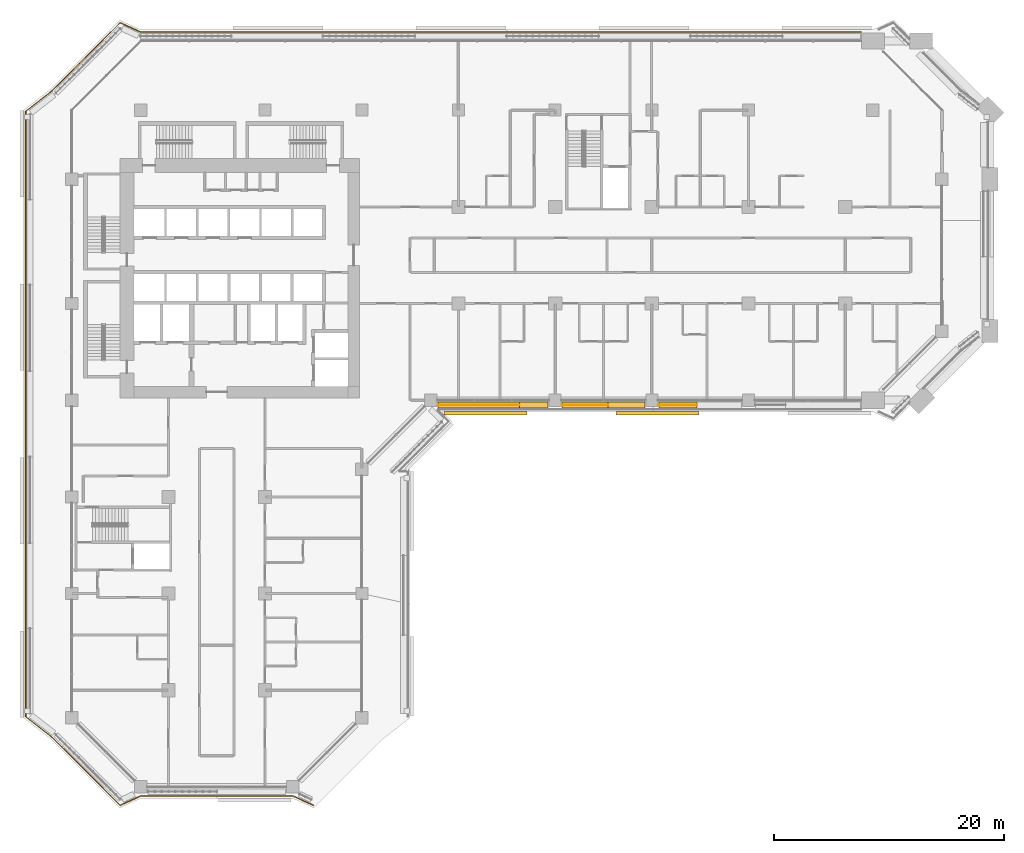
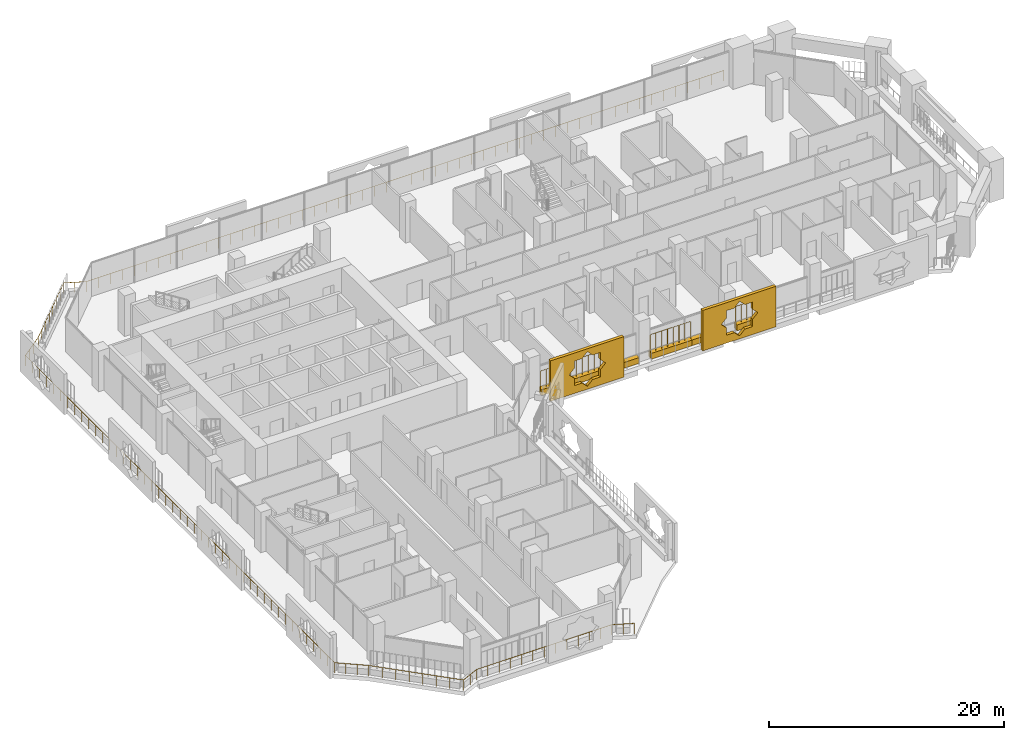
# One storey, part 24 of 27: 7 coverings, 4 railings.
"""IFC4 building model written with IfcOpenShell, lengths in metres."""

from ifc_helpers import new_model, si_unit, direction, frame, origin, origin_2d, place, context, subcontext, project, spatial, polyline, rectangle, circle, outline, extrude, material, material_profile, profile_set, type_object, element, save


model = new_model("IFC4")

# Units and contexts
model_context = context("Model", 3, precision=1e-05, world=origin(), true_north=direction((0.0, 1.0)))
body_context = subcontext(model_context, "Body", "Model", "MODEL_VIEW")
ifc_project = project(units=[si_unit("LENGTHUNIT", "METRE"), si_unit("AREAUNIT", "SQUARE_METRE"), si_unit("VOLUMEUNIT", "CUBIC_METRE"), si_unit("PLANEANGLEUNIT", "RADIAN"), si_unit("MASSUNIT", "GRAM", prefix="KILO")], contexts=[model_context])

# Site, building, storey
site_placement = place(None, origin())
site = spatial("IfcSite", under=ifc_project, at=site_placement, CompositionType="ELEMENT")
building_placement = place(site_placement, origin())
building = spatial("IfcBuilding", under=site, at=building_placement, Name="Kawkab Arch Medical Tower", CompositionType="ELEMENT")
storey_placement = place(building_placement, frame((0.0, 0.0, 115.60009765625)))
storey = spatial("IfcBuildingStorey", under=building, at=storey_placement, Name="L26", CompositionType="ELEMENT", Elevation=115.60009765625)

# Railing
ifc_material_1 = material(Name="Bronze anodised aluminium guard", Category="aluminium")
railing_type_1 = type_object("IfcRailingType", Name="Loggia and terrace guard 1100", PredefinedType="GUARDRAIL", material=ifc_material_1)
railing_1_placement = place(storey_placement, frame((20.9951171875, -60.39794921875, 0.0)))
element("IfcRailing", 1, at=railing_1_placement, inside=storey, type_object=railing_type_1, Name="Guard L26.LOG-01.1.1", PredefinedType="GUARDRAIL", context=body_context, shape_type="SweptSolid", body=[
    extrude(circle(Radius=0.02392578125, at=origin_2d()), frame((0.0, 0.0, 1.076171875), z_axis=(-0.910092688388, 0.414404752076, 0.0), x_axis=(-0.414404752076, -0.910092688388, 0.0)), (0.0, 0.0, 1.0), 1.92529296875),
    extrude(circle(Radius=0.02392578125, at=origin_2d()), frame((-1.752197265625, 0.7978515625, 1.076171875), z_axis=(-1.0, 0.0, 0.0), x_axis=(0.0, -1.0, 0.0)), (0.0, 0.0, 1.0), 13.285888671875),
    extrude(circle(Radius=0.02392578125, at=origin_2d()), frame((-15.0380859375, 0.7978515625, 1.076171875), z_axis=(-0.910070907914, -0.414452581809, 0.0), x_axis=(0.414452581809, -0.910070907914, 0.0)), (0.0, 0.0, 1.0), 1.925048828125),
    extrude(circle(Radius=0.02392578125, at=origin_2d()), frame((-16.7900390625, 0.0, 1.076171875), z_axis=(-0.707121386154, 0.707092175918, 0.0), x_axis=(-0.707092175918, -0.707121386154, 0.0)), (0.0, 0.0, 1.0), 8.358154296875),
    extrude(circle(Radius=0.02392578125, at=origin_2d()), frame((-22.7001953125, 5.909912109375, 1.076171875), z_axis=(-0.789153273162, 0.614196313452, 0.0), x_axis=(-0.614196313452, -0.789153273162, 0.0)), (0.0, 0.0, 1.0), 2.908203125),
    extrude(circle(Radius=0.02392578125, at=origin_2d()), frame((-24.9951171875, 7.696044921875, 1.076171875), z_axis=(0.0, 1.0, 0.0), x_axis=(-1.0, 0.0, 0.0)), (0.0, 0.0, 1.0), 52.60400390625),
    extrude(circle(Radius=0.02392578125, at=origin_2d()), frame((-24.9951171875, 60.300048828125, 1.076171875), z_axis=(0.789193964876, 0.614144026922, 0.0), x_axis=(-0.614144026922, 0.789193964876, 0.0)), (0.0, 0.0, 1.0), 2.907958984375),
    extrude(circle(Radius=0.02392578125, at=origin_2d()), frame((-22.7001953125, 62.0859375, 1.076171875), z_axis=(0.707121386154, 0.707092175918, 0.0), x_axis=(-0.707092175918, 0.707121386154, 0.0)), (0.0, 0.0, 1.0), 8.358154296875),
    extrude(circle(Radius=0.02392578125, at=origin_2d()), frame((-16.7900390625, 67.995849609375, 1.076171875), z_axis=(0.910070907914, -0.414452581809, 0.0), x_axis=(0.414452581809, 0.910070907914, 0.0)), (0.0, 0.0, 1.0), 1.925048828125),
    extrude(circle(Radius=0.02392578125, at=origin_2d()), frame((-15.0380859375, 67.197998046875, 1.076171875), z_axis=(1.0, 0.0, 0.0), x_axis=(0.0, 1.0, 0.0)), (0.0, 0.0, 1.0), 62.613037109375),
    extrude(circle(Radius=0.02099609375, at=origin_2d()), origin(), (0.0, 0.0, 1.0), 1.052001953125),
    extrude(circle(Radius=0.02099609375, at=origin_2d()), frame((-0.8759765625, 0.39892578125, 0.0)), (0.0, 0.0, 1.0), 1.052001953125),
    extrude(circle(Radius=0.02099609375, at=origin_2d()), frame((-1.752197265625, 0.7978515625, 0.0)), (0.0, 0.0, 1.0), 1.052001953125),
    extrude(circle(Radius=0.02099609375, at=origin_2d()), frame((-2.859375, 0.7978515625, 0.0)), (0.0, 0.0, 1.0), 1.052001953125),
    extrude(circle(Radius=0.02099609375, at=origin_2d()), frame((-3.966552734375, 0.7978515625, 0.0)), (0.0, 0.0, 1.0), 1.052001953125),
    extrude(circle(Radius=0.02099609375, at=origin_2d()), frame((-5.07373046875, 0.7978515625, 0.0)), (0.0, 0.0, 1.0), 1.052001953125),
    extrude(circle(Radius=0.02099609375, at=origin_2d()), frame((-6.180908203125, 0.7978515625, 0.0)), (0.0, 0.0, 1.0), 1.052001953125),
    extrude(circle(Radius=0.02099609375, at=origin_2d()), frame((-7.2880859375, 0.7978515625, 0.0)), (0.0, 0.0, 1.0), 1.052001953125),
    extrude(circle(Radius=0.02099609375, at=origin_2d()), frame((-8.39501953125, 0.7978515625, 0.0)), (0.0, 0.0, 1.0), 1.052001953125),
    extrude(circle(Radius=0.02099609375, at=origin_2d()), frame((-9.502197265625, 0.7978515625, 0.0)), (0.0, 0.0, 1.0), 1.052001953125),
    extrude(circle(Radius=0.02099609375, at=origin_2d()), frame((-10.609375, 0.7978515625, 0.0)), (0.0, 0.0, 1.0), 1.052001953125),
    extrude(circle(Radius=0.02099609375, at=origin_2d()), frame((-11.716552734375, 0.7978515625, 0.0)), (0.0, 0.0, 1.0), 1.052001953125),
    extrude(circle(Radius=0.02099609375, at=origin_2d()), frame((-12.82373046875, 0.7978515625, 0.0)), (0.0, 0.0, 1.0), 1.052001953125),
    extrude(circle(Radius=0.02099609375, at=origin_2d()), frame((-13.930908203125, 0.7978515625, 0.0)), (0.0, 0.0, 1.0), 1.052001953125),
    extrude(circle(Radius=0.02099609375, at=origin_2d()), frame((-15.0380859375, 0.7978515625, 0.0)), (0.0, 0.0, 1.0), 1.052001953125),
    extrude(circle(Radius=0.02099609375, at=origin_2d()), frame((-15.9140625, 0.39892578125, 0.0)), (0.0, 0.0, 1.0), 1.052001953125),
    extrude(circle(Radius=0.02099609375, at=origin_2d()), frame((-16.7900390625, 0.0, 0.0)), (0.0, 0.0, 1.0), 1.052001953125),
    extrude(circle(Radius=0.02099609375, at=origin_2d()), frame((-17.63427734375, 0.84423828125, 0.0)), (0.0, 0.0, 1.0), 1.052001953125),
    extrude(circle(Radius=0.02099609375, at=origin_2d()), frame((-18.478759765625, 1.6884765625, 0.0)), (0.0, 0.0, 1.0), 1.052001953125),
    extrude(circle(Radius=0.02099609375, at=origin_2d()), frame((-19.322998046875, 2.53271484375, 0.0)), (0.0, 0.0, 1.0), 1.052001953125),
    extrude(circle(Radius=0.02099609375, at=origin_2d()), frame((-20.167236328125, 3.377197265625, 0.0)), (0.0, 0.0, 1.0), 1.052001953125),
    extrude(circle(Radius=0.02099609375, at=origin_2d()), frame((-21.011474609375, 4.221435546875, 0.0)), (0.0, 0.0, 1.0), 1.052001953125),
    extrude(circle(Radius=0.02099609375, at=origin_2d()), frame((-21.85595703125, 5.065673828125, 0.0)), (0.0, 0.0, 1.0), 1.052001953125),
    extrude(circle(Radius=0.02099609375, at=origin_2d()), frame((-22.7001953125, 5.909912109375, 0.0)), (0.0, 0.0, 1.0), 1.052001953125),
    extrude(circle(Radius=0.02099609375, at=origin_2d()), frame((-23.465087890625, 6.50537109375, 0.0)), (0.0, 0.0, 1.0), 1.052001953125),
    extrude(circle(Radius=0.02099609375, at=origin_2d()), frame((-24.230224609375, 7.1005859375, 0.0)), (0.0, 0.0, 1.0), 1.052001953125),
    extrude(circle(Radius=0.02099609375, at=origin_2d()), frame((-24.9951171875, 7.696044921875, 0.0)), (0.0, 0.0, 1.0), 1.052001953125),
    extrude(circle(Radius=0.02099609375, at=origin_2d()), frame((-24.9951171875, 8.8916015625, 0.0)), (0.0, 0.0, 1.0), 1.052001953125),
    extrude(circle(Radius=0.02099609375, at=origin_2d()), frame((-24.9951171875, 10.087158203125, 0.0)), (0.0, 0.0, 1.0), 1.052001953125),
    extrude(circle(Radius=0.02099609375, at=origin_2d()), frame((-24.9951171875, 11.28271484375, 0.0)), (0.0, 0.0, 1.0), 1.052001953125),
    extrude(circle(Radius=0.02099609375, at=origin_2d()), frame((-24.9951171875, 12.478271484375, 0.0)), (0.0, 0.0, 1.0), 1.052001953125),
    extrude(circle(Radius=0.02099609375, at=origin_2d()), frame((-24.9951171875, 13.673828125, 0.0)), (0.0, 0.0, 1.0), 1.052001953125),
    extrude(circle(Radius=0.02099609375, at=origin_2d()), frame((-24.9951171875, 14.869384765625, 0.0)), (0.0, 0.0, 1.0), 1.052001953125),
    extrude(circle(Radius=0.02099609375, at=origin_2d()), frame((-24.9951171875, 16.06494140625, 0.0)), (0.0, 0.0, 1.0), 1.052001953125),
    extrude(circle(Radius=0.02099609375, at=origin_2d()), frame((-24.9951171875, 17.260498046875, 0.0)), (0.0, 0.0, 1.0), 1.052001953125),
    extrude(circle(Radius=0.02099609375, at=origin_2d()), frame((-24.9951171875, 18.4560546875, 0.0)), (0.0, 0.0, 1.0), 1.052001953125),
    extrude(circle(Radius=0.02099609375, at=origin_2d()), frame((-24.9951171875, 19.651611328125, 0.0)), (0.0, 0.0, 1.0), 1.052001953125),
    extrude(circle(Radius=0.02099609375, at=origin_2d()), frame((-24.9951171875, 20.84716796875, 0.0)), (0.0, 0.0, 1.0), 1.052001953125),
    extrude(circle(Radius=0.02099609375, at=origin_2d()), frame((-24.9951171875, 22.04248046875, 0.0)), (0.0, 0.0, 1.0), 1.052001953125),
    extrude(circle(Radius=0.02099609375, at=origin_2d()), frame((-24.9951171875, 23.238037109375, 0.0)), (0.0, 0.0, 1.0), 1.052001953125),
    extrude(circle(Radius=0.02099609375, at=origin_2d()), frame((-24.9951171875, 24.43359375, 0.0)), (0.0, 0.0, 1.0), 1.052001953125),
    extrude(circle(Radius=0.02099609375, at=origin_2d()), frame((-24.9951171875, 25.629150390625, 0.0)), (0.0, 0.0, 1.0), 1.052001953125),
    extrude(circle(Radius=0.02099609375, at=origin_2d()), frame((-24.9951171875, 26.82470703125, 0.0)), (0.0, 0.0, 1.0), 1.052001953125),
    extrude(circle(Radius=0.02099609375, at=origin_2d()), frame((-24.9951171875, 28.020263671875, 0.0)), (0.0, 0.0, 1.0), 1.052001953125),
    extrude(circle(Radius=0.02099609375, at=origin_2d()), frame((-24.9951171875, 29.2158203125, 0.0)), (0.0, 0.0, 1.0), 1.052001953125),
    extrude(circle(Radius=0.02099609375, at=origin_2d()), frame((-24.9951171875, 30.411376953125, 0.0)), (0.0, 0.0, 1.0), 1.052001953125),
    extrude(circle(Radius=0.02099609375, at=origin_2d()), frame((-24.9951171875, 31.60693359375, 0.0)), (0.0, 0.0, 1.0), 1.052001953125),
    extrude(circle(Radius=0.02099609375, at=origin_2d()), frame((-24.9951171875, 32.802490234375, 0.0)), (0.0, 0.0, 1.0), 1.052001953125),
    extrude(circle(Radius=0.02099609375, at=origin_2d()), frame((-24.9951171875, 33.998046875, 0.0)), (0.0, 0.0, 1.0), 1.052001953125),
    extrude(circle(Radius=0.02099609375, at=origin_2d()), frame((-24.9951171875, 35.193603515625, 0.0)), (0.0, 0.0, 1.0), 1.052001953125),
    extrude(circle(Radius=0.02099609375, at=origin_2d()), frame((-24.9951171875, 36.38916015625, 0.0)), (0.0, 0.0, 1.0), 1.052001953125),
    extrude(circle(Radius=0.02099609375, at=origin_2d()), frame((-24.9951171875, 37.584716796875, 0.0)), (0.0, 0.0, 1.0), 1.052001953125),
    extrude(circle(Radius=0.02099609375, at=origin_2d()), frame((-24.9951171875, 38.7802734375, 0.0)), (0.0, 0.0, 1.0), 1.052001953125),
    extrude(circle(Radius=0.02099609375, at=origin_2d()), frame((-24.9951171875, 39.975830078125, 0.0)), (0.0, 0.0, 1.0), 1.052001953125),
    extrude(circle(Radius=0.02099609375, at=origin_2d()), frame((-24.9951171875, 41.17138671875, 0.0)), (0.0, 0.0, 1.0), 1.052001953125),
    extrude(circle(Radius=0.02099609375, at=origin_2d()), frame((-24.9951171875, 42.366943359375, 0.0)), (0.0, 0.0, 1.0), 1.052001953125),
    extrude(circle(Radius=0.02099609375, at=origin_2d()), frame((-24.9951171875, 43.5625, 0.0)), (0.0, 0.0, 1.0), 1.052001953125),
    extrude(circle(Radius=0.02099609375, at=origin_2d()), frame((-24.9951171875, 44.758056640625, 0.0)), (0.0, 0.0, 1.0), 1.052001953125),
    extrude(circle(Radius=0.02099609375, at=origin_2d()), frame((-24.9951171875, 45.95361328125, 0.0)), (0.0, 0.0, 1.0), 1.052001953125),
    extrude(circle(Radius=0.02099609375, at=origin_2d()), frame((-24.9951171875, 47.14892578125, 0.0)), (0.0, 0.0, 1.0), 1.052001953125),
    extrude(circle(Radius=0.02099609375, at=origin_2d()), frame((-24.9951171875, 48.344482421875, 0.0)), (0.0, 0.0, 1.0), 1.052001953125),
    extrude(circle(Radius=0.02099609375, at=origin_2d()), frame((-24.9951171875, 49.5400390625, 0.0)), (0.0, 0.0, 1.0), 1.052001953125),
    extrude(circle(Radius=0.02099609375, at=origin_2d()), frame((-24.9951171875, 50.735595703125, 0.0)), (0.0, 0.0, 1.0), 1.052001953125),
    extrude(circle(Radius=0.02099609375, at=origin_2d()), frame((-24.9951171875, 51.93115234375, 0.0)), (0.0, 0.0, 1.0), 1.052001953125),
    extrude(circle(Radius=0.02099609375, at=origin_2d()), frame((-24.9951171875, 53.126708984375, 0.0)), (0.0, 0.0, 1.0), 1.052001953125),
    extrude(circle(Radius=0.02099609375, at=origin_2d()), frame((-24.9951171875, 54.322265625, 0.0)), (0.0, 0.0, 1.0), 1.052001953125),
    extrude(circle(Radius=0.02099609375, at=origin_2d()), frame((-24.9951171875, 55.517822265625, 0.0)), (0.0, 0.0, 1.0), 1.052001953125),
    extrude(circle(Radius=0.02099609375, at=origin_2d()), frame((-24.9951171875, 56.71337890625, 0.0)), (0.0, 0.0, 1.0), 1.052001953125),
    extrude(circle(Radius=0.02099609375, at=origin_2d()), frame((-24.9951171875, 57.908935546875, 0.0)), (0.0, 0.0, 1.0), 1.052001953125),
    extrude(circle(Radius=0.02099609375, at=origin_2d()), frame((-24.9951171875, 59.1044921875, 0.0)), (0.0, 0.0, 1.0), 1.052001953125),
    extrude(circle(Radius=0.02099609375, at=origin_2d()), frame((-24.9951171875, 60.300048828125, 0.0)), (0.0, 0.0, 1.0), 1.052001953125),
    extrude(circle(Radius=0.02099609375, at=origin_2d()), frame((-24.230224609375, 60.895263671875, 0.0)), (0.0, 0.0, 1.0), 1.052001953125),
    extrude(circle(Radius=0.02099609375, at=origin_2d()), frame((-23.465087890625, 61.49072265625, 0.0)), (0.0, 0.0, 1.0), 1.052001953125),
    extrude(circle(Radius=0.02099609375, at=origin_2d()), frame((-22.7001953125, 62.0859375, 0.0)), (0.0, 0.0, 1.0), 1.052001953125),
    extrude(circle(Radius=0.02099609375, at=origin_2d()), frame((-21.85595703125, 62.93017578125, 0.0)), (0.0, 0.0, 1.0), 1.052001953125),
    extrude(circle(Radius=0.02099609375, at=origin_2d()), frame((-21.011474609375, 63.7744140625, 0.0)), (0.0, 0.0, 1.0), 1.052001953125),
    extrude(circle(Radius=0.02099609375, at=origin_2d()), frame((-20.167236328125, 64.61865234375, 0.0)), (0.0, 0.0, 1.0), 1.052001953125),
    extrude(circle(Radius=0.02099609375, at=origin_2d()), frame((-19.322998046875, 65.463134765625, 0.0)), (0.0, 0.0, 1.0), 1.052001953125),
    extrude(circle(Radius=0.02099609375, at=origin_2d()), frame((-18.478759765625, 66.307373046875, 0.0)), (0.0, 0.0, 1.0), 1.052001953125),
    extrude(circle(Radius=0.02099609375, at=origin_2d()), frame((-17.63427734375, 67.151611328125, 0.0)), (0.0, 0.0, 1.0), 1.052001953125),
    extrude(circle(Radius=0.02099609375, at=origin_2d()), frame((-16.7900390625, 67.995849609375, 0.0)), (0.0, 0.0, 1.0), 1.052001953125),
    extrude(circle(Radius=0.02099609375, at=origin_2d()), frame((-15.9140625, 67.596923828125, 0.0)), (0.0, 0.0, 1.0), 1.052001953125),
    extrude(circle(Radius=0.02099609375, at=origin_2d()), frame((-15.0380859375, 67.197998046875, 0.0)), (0.0, 0.0, 1.0), 1.052001953125),
    extrude(circle(Radius=0.02099609375, at=origin_2d()), frame((-13.856689453125, 67.197998046875, 0.0)), (0.0, 0.0, 1.0), 1.052001953125),
    extrude(circle(Radius=0.02099609375, at=origin_2d()), frame((-12.67529296875, 67.197998046875, 0.0)), (0.0, 0.0, 1.0), 1.052001953125),
    extrude(circle(Radius=0.02099609375, at=origin_2d()), frame((-11.493896484375, 67.197998046875, 0.0)), (0.0, 0.0, 1.0), 1.052001953125),
    extrude(circle(Radius=0.02099609375, at=origin_2d()), frame((-10.3125, 67.197998046875, 0.0)), (0.0, 0.0, 1.0), 1.052001953125),
    extrude(circle(Radius=0.02099609375, at=origin_2d()), frame((-9.131103515625, 67.197998046875, 0.0)), (0.0, 0.0, 1.0), 1.052001953125),
    extrude(circle(Radius=0.02099609375, at=origin_2d()), frame((-7.94970703125, 67.197998046875, 0.0)), (0.0, 0.0, 1.0), 1.052001953125),
    extrude(circle(Radius=0.02099609375, at=origin_2d()), frame((-6.7685546875, 67.197998046875, 0.0)), (0.0, 0.0, 1.0), 1.052001953125),
    extrude(circle(Radius=0.02099609375, at=origin_2d()), frame((-5.587158203125, 67.197998046875, 0.0)), (0.0, 0.0, 1.0), 1.052001953125),
    extrude(circle(Radius=0.02099609375, at=origin_2d()), frame((-4.40576171875, 67.197998046875, 0.0)), (0.0, 0.0, 1.0), 1.052001953125),
    extrude(circle(Radius=0.02099609375, at=origin_2d()), frame((-3.224365234375, 67.197998046875, 0.0)), (0.0, 0.0, 1.0), 1.052001953125),
    extrude(circle(Radius=0.02099609375, at=origin_2d()), frame((-2.04296875, 67.197998046875, 0.0)), (0.0, 0.0, 1.0), 1.052001953125),
    extrude(circle(Radius=0.02099609375, at=origin_2d()), frame((-0.861572265625, 67.197998046875, 0.0)), (0.0, 0.0, 1.0), 1.052001953125),
    extrude(circle(Radius=0.02099609375, at=origin_2d()), frame((0.31982421875, 67.197998046875, 0.0)), (0.0, 0.0, 1.0), 1.052001953125),
    extrude(circle(Radius=0.02099609375, at=origin_2d()), frame((1.501220703125, 67.197998046875, 0.0)), (0.0, 0.0, 1.0), 1.052001953125),
    extrude(circle(Radius=0.02099609375, at=origin_2d()), frame((2.6826171875, 67.197998046875, 0.0)), (0.0, 0.0, 1.0), 1.052001953125),
    extrude(circle(Radius=0.02099609375, at=origin_2d()), frame((3.864013671875, 67.197998046875, 0.0)), (0.0, 0.0, 1.0), 1.052001953125),
    extrude(circle(Radius=0.02099609375, at=origin_2d()), frame((5.04541015625, 67.197998046875, 0.0)), (0.0, 0.0, 1.0), 1.052001953125),
    extrude(circle(Radius=0.02099609375, at=origin_2d()), frame((6.226806640625, 67.197998046875, 0.0)), (0.0, 0.0, 1.0), 1.052001953125),
    extrude(circle(Radius=0.02099609375, at=origin_2d()), frame((7.408203125, 67.197998046875, 0.0)), (0.0, 0.0, 1.0), 1.052001953125),
    extrude(circle(Radius=0.02099609375, at=origin_2d()), frame((8.58935546875, 67.197998046875, 0.0)), (0.0, 0.0, 1.0), 1.052001953125),
    extrude(circle(Radius=0.02099609375, at=origin_2d()), frame((9.770751953125, 67.197998046875, 0.0)), (0.0, 0.0, 1.0), 1.052001953125),
    extrude(circle(Radius=0.02099609375, at=origin_2d()), frame((10.9521484375, 67.197998046875, 0.0)), (0.0, 0.0, 1.0), 1.052001953125),
    extrude(circle(Radius=0.02099609375, at=origin_2d()), frame((12.133544921875, 67.197998046875, 0.0)), (0.0, 0.0, 1.0), 1.052001953125),
    extrude(circle(Radius=0.02099609375, at=origin_2d()), frame((13.31494140625, 67.197998046875, 0.0)), (0.0, 0.0, 1.0), 1.052001953125),
    extrude(circle(Radius=0.02099609375, at=origin_2d()), frame((14.496337890625, 67.197998046875, 0.0)), (0.0, 0.0, 1.0), 1.052001953125),
    extrude(circle(Radius=0.02099609375, at=origin_2d()), frame((15.677734375, 67.197998046875, 0.0)), (0.0, 0.0, 1.0), 1.052001953125),
    extrude(circle(Radius=0.02099609375, at=origin_2d()), frame((16.859130859375, 67.197998046875, 0.0)), (0.0, 0.0, 1.0), 1.052001953125),
    extrude(circle(Radius=0.02099609375, at=origin_2d()), frame((18.04052734375, 67.197998046875, 0.0)), (0.0, 0.0, 1.0), 1.052001953125),
    extrude(circle(Radius=0.02099609375, at=origin_2d()), frame((19.221923828125, 67.197998046875, 0.0)), (0.0, 0.0, 1.0), 1.052001953125),
    extrude(circle(Radius=0.02099609375, at=origin_2d()), frame((20.4033203125, 67.197998046875, 0.0)), (0.0, 0.0, 1.0), 1.052001953125),
    extrude(circle(Radius=0.02099609375, at=origin_2d()), frame((21.584716796875, 67.197998046875, 0.0)), (0.0, 0.0, 1.0), 1.052001953125),
    extrude(circle(Radius=0.02099609375, at=origin_2d()), frame((22.76611328125, 67.197998046875, 0.0)), (0.0, 0.0, 1.0), 1.052001953125),
    extrude(circle(Radius=0.02099609375, at=origin_2d()), frame((23.947509765625, 67.197998046875, 0.0)), (0.0, 0.0, 1.0), 1.052001953125),
    extrude(circle(Radius=0.02099609375, at=origin_2d()), frame((25.128662109375, 67.197998046875, 0.0)), (0.0, 0.0, 1.0), 1.052001953125),
    extrude(circle(Radius=0.02099609375, at=origin_2d()), frame((26.31005859375, 67.197998046875, 0.0)), (0.0, 0.0, 1.0), 1.052001953125),
    extrude(circle(Radius=0.02099609375, at=origin_2d()), frame((27.491455078125, 67.197998046875, 0.0)), (0.0, 0.0, 1.0), 1.052001953125),
    extrude(circle(Radius=0.02099609375, at=origin_2d()), frame((28.6728515625, 67.197998046875, 0.0)), (0.0, 0.0, 1.0), 1.052001953125),
    extrude(circle(Radius=0.02099609375, at=origin_2d()), frame((29.854248046875, 67.197998046875, 0.0)), (0.0, 0.0, 1.0), 1.052001953125),
    extrude(circle(Radius=0.02099609375, at=origin_2d()), frame((31.03564453125, 67.197998046875, 0.0)), (0.0, 0.0, 1.0), 1.052001953125),
    extrude(circle(Radius=0.02099609375, at=origin_2d()), frame((32.217041015625, 67.197998046875, 0.0)), (0.0, 0.0, 1.0), 1.052001953125),
    extrude(circle(Radius=0.02099609375, at=origin_2d()), frame((33.3984375, 67.197998046875, 0.0)), (0.0, 0.0, 1.0), 1.052001953125),
    extrude(circle(Radius=0.02099609375, at=origin_2d()), frame((34.579833984375, 67.197998046875, 0.0)), (0.0, 0.0, 1.0), 1.052001953125),
    extrude(circle(Radius=0.02099609375, at=origin_2d()), frame((35.76123046875, 67.197998046875, 0.0)), (0.0, 0.0, 1.0), 1.052001953125),
    extrude(circle(Radius=0.02099609375, at=origin_2d()), frame((36.942626953125, 67.197998046875, 0.0)), (0.0, 0.0, 1.0), 1.052001953125),
    extrude(circle(Radius=0.02099609375, at=origin_2d()), frame((38.1240234375, 67.197998046875, 0.0)), (0.0, 0.0, 1.0), 1.052001953125),
    extrude(circle(Radius=0.02099609375, at=origin_2d()), frame((39.305419921875, 67.197998046875, 0.0)), (0.0, 0.0, 1.0), 1.052001953125),
    extrude(circle(Radius=0.02099609375, at=origin_2d()), frame((40.486572265625, 67.197998046875, 0.0)), (0.0, 0.0, 1.0), 1.052001953125),
    extrude(circle(Radius=0.02099609375, at=origin_2d()), frame((41.66796875, 67.197998046875, 0.0)), (0.0, 0.0, 1.0), 1.052001953125),
    extrude(circle(Radius=0.02099609375, at=origin_2d()), frame((42.849365234375, 67.197998046875, 0.0)), (0.0, 0.0, 1.0), 1.052001953125),
    extrude(circle(Radius=0.02099609375, at=origin_2d()), frame((44.03076171875, 67.197998046875, 0.0)), (0.0, 0.0, 1.0), 1.052001953125),
    extrude(circle(Radius=0.02099609375, at=origin_2d()), frame((45.212158203125, 67.197998046875, 0.0)), (0.0, 0.0, 1.0), 1.052001953125),
    extrude(circle(Radius=0.02099609375, at=origin_2d()), frame((46.3935546875, 67.197998046875, 0.0)), (0.0, 0.0, 1.0), 1.052001953125),
    extrude(circle(Radius=0.02099609375, at=origin_2d()), frame((47.574951171875, 67.197998046875, 0.0)), (0.0, 0.0, 1.0), 1.052001953125),
])

# Coverings
ifc_material_2 = material(Name="Bronze anodised aluminium mashrabiya panel, eight-point star pattern", Category="aluminium")
ifc_material_profile_1 = material_profile(ifc_material_2, outline(polyline([(-3.60009765625, -2.10009765625), (3.60009765625, -2.10009765625), (3.60009765625, 2.10009765625), (-3.60009765625, 2.10009765625), (-3.60009765625, -2.10009765625)]), holes=[polyline([(1.800048828125, 0.0), (1.272705078125, 0.527099609375), (1.272705078125, 1.272705078125), (0.527099609375, 1.272705078125), (0.0, 1.800048828125), (-0.527099609375, 1.272705078125), (-1.272705078125, 1.272705078125), (-1.272705078125, 0.527099609375), (-1.800048828125, 0.0), (-1.272705078125, -0.527099609375), (-1.272705078125, -1.272705078125), (-0.527099609375, -1.272705078125), (0.0, -1.800048828125), (0.527099609375, -1.272705078125), (1.272705078125, -1.272705078125), (1.272705078125, -0.527099609375), (1.800048828125, 0.0)])]), Name="Mashrabiya panel 7200x4200")
ifc_profile_set_1 = profile_set([ifc_material_profile_1], Name="Bronze anodised aluminium mashrabiya panel, eight-point star pattern")
covering_type_1 = type_object("IfcCoveringType", Name="Mashrabiya panel 7200 x 4200", PredefinedType="USERDEFINED", material=ifc_profile_set_1)
for number, where, z_axis, x_axis, name in (
    (2, (50.892333984375, -26.199951171875, 1.699951171875), (0.0, -1.0, 0.0), (1.0, 0.0, 0.0), "Mashrabiya panel L26.LOG-01-01.12"),
    (3, (35.944580078125, -26.199951171875, 1.699951171875), (0.0, -1.0, 0.0), (1.0, 0.0, 0.0), "Mashrabiya panel L26.LOG-01-01.13"),
):
    element("IfcCovering", number, at=place(storey_placement, frame(where, z_axis=z_axis, x_axis=x_axis)), inside=storey, type_object=covering_type_1, Name=name, ObjectType="SCREEN", PredefinedType="USERDEFINED", context=body_context, shape_type="SweptSolid", body=[
        extrude(outline(polyline([(-3.60009765625, -2.10009765625), (3.60009765625, -2.10009765625), (3.60009765625, 2.10009765625), (-3.60009765625, 2.10009765625), (-3.60009765625, -2.10009765625)]), holes=[polyline([(1.800048828125, 0.0), (1.272705078125, 0.527099609375), (1.272705078125, 1.272705078125), (0.527099609375, 1.272705078125), (0.0, 1.800048828125), (-0.527099609375, 1.272705078125), (-1.272705078125, 1.272705078125), (-1.272705078125, 0.527099609375), (-1.800048828125, 0.0), (-1.272705078125, -0.527099609375), (-1.272705078125, -1.272705078125), (-0.527099609375, -1.272705078125), (0.0, -1.800048828125), (0.527099609375, -1.272705078125), (1.272705078125, -1.272705078125), (1.272705078125, -0.527099609375), (1.800048828125, 0.0)])]), origin(), (0.0, 0.0, 1.0), 0.300048828125),
    ])
ifc_material_3 = material(Name="Planting soil in a precast trough", Category="concrete")
ifc_material_profile_2 = material_profile(ifc_material_3, rectangle(XDim=0.5, YDim=0.60009765625, at=origin_2d()), Name="Trough 500x600")
ifc_profile_set_2 = profile_set([ifc_material_profile_2], Name="Planting soil in a precast trough")
covering_type_2 = type_object("IfcCoveringType", Name="Planter trough 500 x 600", PredefinedType="USERDEFINED", material=ifc_profile_set_2)
covering_1_placement = place(storey_placement, frame((54.30908203125, -25.6201171875, 0.2998046875), z_axis=(-1.0, 0.0, 0.0), x_axis=(0.0, -1.0, 0.0)))
element("IfcCovering", 4, at=covering_1_placement, inside=storey, type_object=covering_type_2, Name="Planter L26.LOG-01-01.37", ObjectType="PLANTER", PredefinedType="USERDEFINED", context=body_context, shape_type="SweptSolid", body=[
    extrude(rectangle(XDim=0.5, YDim=0.60009765625, at=origin_2d()), origin(), (0.0, 0.0, 1.0), 3.30419921875),
])
covering_2_placement = place(storey_placement, frame((49.794921875, -25.6201171875, 0.2998046875), z_axis=(-1.0, 0.0, 0.0), x_axis=(0.0, -1.0, 0.0)))
element("IfcCovering", 5, at=covering_2_placement, inside=storey, type_object=covering_type_2, Name="Planter L26.LOG-01-01.38", ObjectType="PLANTER", PredefinedType="USERDEFINED", context=body_context, shape_type="SweptSolid", body=[
    extrude(rectangle(XDim=0.5, YDim=0.60009765625, at=origin_2d()), origin(), (0.0, 0.0, 1.0), 3.19384765625),
])
covering_3_placement = place(storey_placement, frame((46.60107421875, -25.6201171875, 0.2998046875), z_axis=(-1.0, 0.0, 0.0), x_axis=(0.0, -1.0, 0.0)))
element("IfcCovering", 6, at=covering_3_placement, inside=storey, type_object=covering_type_2, Name="Planter L26.LOG-01-01.39", ObjectType="PLANTER", PredefinedType="USERDEFINED", context=body_context, shape_type="SweptSolid", body=[
    extrude(rectangle(XDim=0.5, YDim=0.60009765625, at=origin_2d()), origin(), (0.0, 0.0, 1.0), 3.99609375),
])
covering_4_placement = place(storey_placement, frame((41.39501953125, -25.6201171875, 0.2998046875), z_axis=(-1.0, 0.0, 0.0), x_axis=(0.0, -1.0, 0.0)))
element("IfcCovering", 7, at=covering_4_placement, inside=storey, type_object=covering_type_2, Name="Planter L26.LOG-01-01.40", ObjectType="PLANTER", PredefinedType="USERDEFINED", context=body_context, shape_type="SweptSolid", body=[
    extrude(rectangle(XDim=0.5, YDim=0.60009765625, at=origin_2d()), origin(), (0.0, 0.0, 1.0), 2.501953125),
])
covering_5_placement = place(storey_placement, frame((38.89306640625, -25.6201171875, 0.2998046875), z_axis=(-1.0, 0.0, 0.0), x_axis=(0.0, -1.0, 0.0)))
element("IfcCovering", 8, at=covering_5_placement, inside=storey, type_object=covering_type_2, Name="Planter L26.LOG-01-01.41", ObjectType="PLANTER", PredefinedType="USERDEFINED", context=body_context, shape_type="SweptSolid", body=[
    extrude(rectangle(XDim=0.5, YDim=0.60009765625, at=origin_2d()), origin(), (0.0, 0.0, 1.0), 7.06298828125),
])

# Railings
ifc_material_4 = material(Name="Bronze anodised aluminium trellis for climbing plants", Category="aluminium")
railing_type_2 = type_object("IfcRailingType", Name="Planting trellis 2400", PredefinedType="USERDEFINED", material=ifc_material_4)
railing_2_placement = place(storey_placement, frame((54.30908203125, -25.6201171875, 0.0)))
element("IfcRailing", 9, at=railing_2_placement, inside=storey, type_object=railing_type_2, Name="Planting trellis L26.LOG-01-01.37", ObjectType="TRELLIS", PredefinedType="USERDEFINED", context=body_context, shape_type="SweptSolid", body=[
    extrude(circle(Radius=0.01513671875, at=origin_2d()), frame((0.0, 0.0, 2.384765625), z_axis=(-1.0, 0.0, 0.0), x_axis=(0.0, -1.0, 0.0)), (0.0, 0.0, 1.0), 3.30419921875),
    extrude(circle(Radius=0.030029296875, at=origin_2d()), origin(), (0.0, 0.0, 1.0), 2.369873046875),
    extrude(circle(Radius=0.030029296875, at=origin_2d()), frame((-0.55078125, 0.0, 0.0)), (0.0, 0.0, 1.0), 2.369873046875),
    extrude(circle(Radius=0.030029296875, at=origin_2d()), frame((-1.101318359375, 0.0, 0.0)), (0.0, 0.0, 1.0), 2.369873046875),
    extrude(circle(Radius=0.030029296875, at=origin_2d()), frame((-1.652099609375, 0.0, 0.0)), (0.0, 0.0, 1.0), 2.369873046875),
    extrude(circle(Radius=0.030029296875, at=origin_2d()), frame((-2.202880859375, 0.0, 0.0)), (0.0, 0.0, 1.0), 2.369873046875),
    extrude(circle(Radius=0.030029296875, at=origin_2d()), frame((-2.75341796875, 0.0, 0.0)), (0.0, 0.0, 1.0), 2.369873046875),
    extrude(circle(Radius=0.030029296875, at=origin_2d()), frame((-3.30419921875, 0.0, 0.0)), (0.0, 0.0, 1.0), 2.369873046875),
])
railing_3_placement = place(storey_placement, frame((46.60107421875, -25.6201171875, 0.0)))
element("IfcRailing", 10, at=railing_3_placement, inside=storey, type_object=railing_type_2, Name="Planting trellis L26.LOG-01-01.39", ObjectType="TRELLIS", PredefinedType="USERDEFINED", context=body_context, shape_type="SweptSolid", body=[
    extrude(circle(Radius=0.01513671875, at=origin_2d()), frame((0.0, 0.0, 2.384765625), z_axis=(-1.0, 0.0, 0.0), x_axis=(0.0, -1.0, 0.0)), (0.0, 0.0, 1.0), 3.99609375),
    extrude(circle(Radius=0.030029296875, at=origin_2d()), origin(), (0.0, 0.0, 1.0), 2.369873046875),
    extrude(circle(Radius=0.030029296875, at=origin_2d()), frame((-0.57080078125, 0.0, 0.0)), (0.0, 0.0, 1.0), 2.369873046875),
    extrude(circle(Radius=0.030029296875, at=origin_2d()), frame((-1.141845703125, 0.0, 0.0)), (0.0, 0.0, 1.0), 2.369873046875),
    extrude(circle(Radius=0.030029296875, at=origin_2d()), frame((-1.712646484375, 0.0, 0.0)), (0.0, 0.0, 1.0), 2.369873046875),
    extrude(circle(Radius=0.030029296875, at=origin_2d()), frame((-2.283447265625, 0.0, 0.0)), (0.0, 0.0, 1.0), 2.369873046875),
    extrude(circle(Radius=0.030029296875, at=origin_2d()), frame((-2.854248046875, 0.0, 0.0)), (0.0, 0.0, 1.0), 2.369873046875),
    extrude(circle(Radius=0.030029296875, at=origin_2d()), frame((-3.42529296875, 0.0, 0.0)), (0.0, 0.0, 1.0), 2.369873046875),
    extrude(circle(Radius=0.030029296875, at=origin_2d()), frame((-3.99609375, 0.0, 0.0)), (0.0, 0.0, 1.0), 2.369873046875),
])
railing_4_placement = place(storey_placement, frame((38.89306640625, -25.6201171875, 0.0)))
element("IfcRailing", 11, at=railing_4_placement, inside=storey, type_object=railing_type_2, Name="Planting trellis L26.LOG-01-01.41", ObjectType="TRELLIS", PredefinedType="USERDEFINED", context=body_context, shape_type="SweptSolid", body=[
    extrude(circle(Radius=0.01513671875, at=origin_2d()), frame((0.0, 0.0, 2.384765625), z_axis=(-1.0, 0.0, 0.0), x_axis=(0.0, -1.0, 0.0)), (0.0, 0.0, 1.0), 7.06298828125),
    extrude(circle(Radius=0.030029296875, at=origin_2d()), origin(), (0.0, 0.0, 1.0), 2.369873046875),
    extrude(circle(Radius=0.030029296875, at=origin_2d()), frame((-0.588623046875, 0.0, 0.0)), (0.0, 0.0, 1.0), 2.369873046875),
    extrude(circle(Radius=0.030029296875, at=origin_2d()), frame((-1.17724609375, 0.0, 0.0)), (0.0, 0.0, 1.0), 2.369873046875),
    extrude(circle(Radius=0.030029296875, at=origin_2d()), frame((-1.765625, 0.0, 0.0)), (0.0, 0.0, 1.0), 2.369873046875),
    extrude(circle(Radius=0.030029296875, at=origin_2d()), frame((-2.354248046875, 0.0, 0.0)), (0.0, 0.0, 1.0), 2.369873046875),
    extrude(circle(Radius=0.030029296875, at=origin_2d()), frame((-2.94287109375, 0.0, 0.0)), (0.0, 0.0, 1.0), 2.369873046875),
    extrude(circle(Radius=0.030029296875, at=origin_2d()), frame((-3.531494140625, 0.0, 0.0)), (0.0, 0.0, 1.0), 2.369873046875),
    extrude(circle(Radius=0.030029296875, at=origin_2d()), frame((-4.1201171875, 0.0, 0.0)), (0.0, 0.0, 1.0), 2.369873046875),
    extrude(circle(Radius=0.030029296875, at=origin_2d()), frame((-4.708740234375, 0.0, 0.0)), (0.0, 0.0, 1.0), 2.369873046875),
    extrude(circle(Radius=0.030029296875, at=origin_2d()), frame((-5.29736328125, 0.0, 0.0)), (0.0, 0.0, 1.0), 2.369873046875),
    extrude(circle(Radius=0.030029296875, at=origin_2d()), frame((-5.8857421875, 0.0, 0.0)), (0.0, 0.0, 1.0), 2.369873046875),
    extrude(circle(Radius=0.030029296875, at=origin_2d()), frame((-6.474365234375, 0.0, 0.0)), (0.0, 0.0, 1.0), 2.369873046875),
    extrude(circle(Radius=0.030029296875, at=origin_2d()), frame((-7.06298828125, 0.0, 0.0)), (0.0, 0.0, 1.0), 2.369873046875),
])

save(model, "model.ifc")
